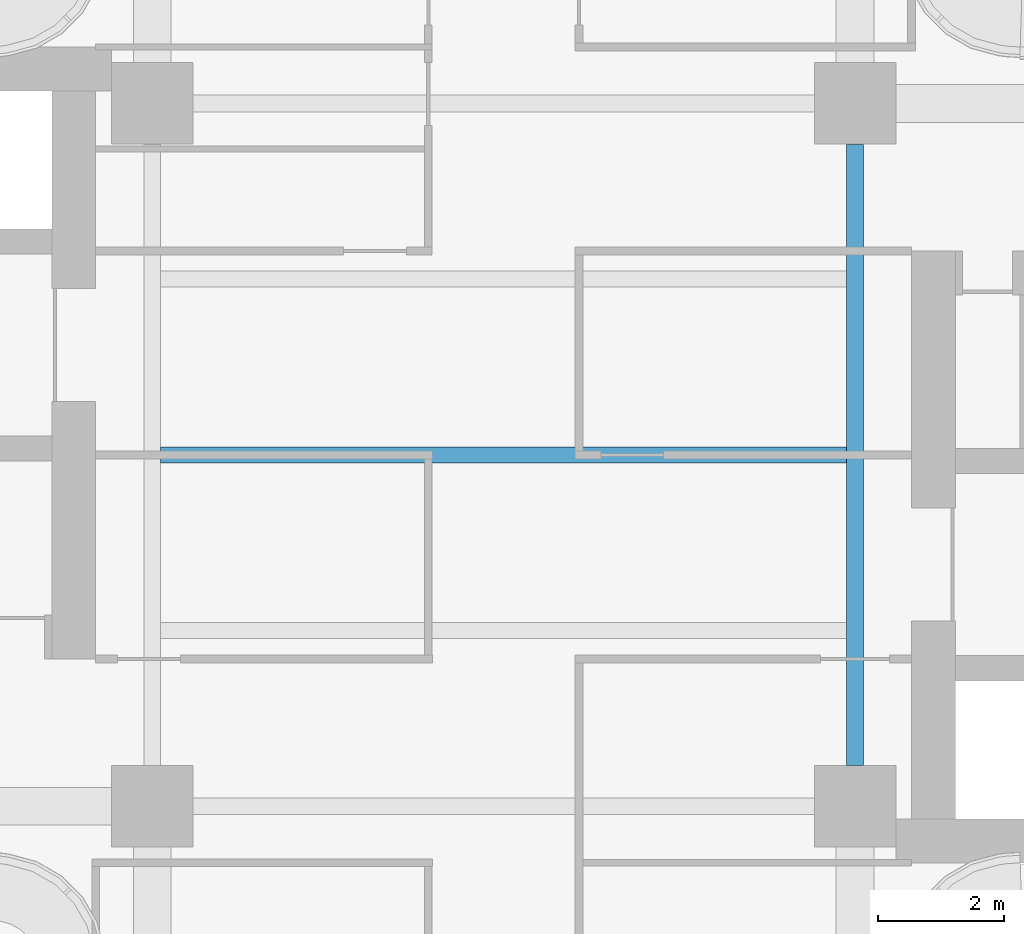
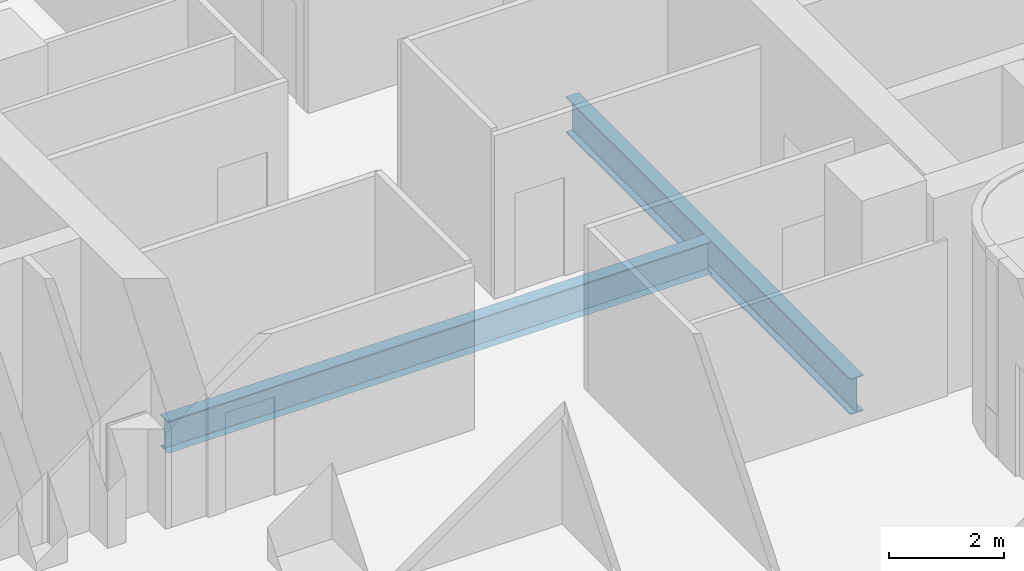
# One storey, part 6 of 23: 2 beams.
"""IFC4 building model written with IfcOpenShell, lengths in metres."""

from ifc_helpers import new_model, si_unit, direction, frame, origin, origin_2d, place, context, subcontext, project, spatial, i_section, extrude, source, transform, mapped, material, material_profile, profile_set, type_object, element, save


model = new_model("IFC4")

# Units and contexts
model_context = context("Model", 3, precision=1e-05, world=origin(), true_north=direction((0.0, 1.0)))
body_context = subcontext(model_context, "Body", "Model", "MODEL_VIEW")
ifc_project = project(units=[si_unit("LENGTHUNIT", "METRE"), si_unit("AREAUNIT", "SQUARE_METRE"), si_unit("VOLUMEUNIT", "CUBIC_METRE"), si_unit("PLANEANGLEUNIT", "RADIAN"), si_unit("MASSUNIT", "GRAM", prefix="KILO")], contexts=[model_context])

# Site, building, storey
site_placement = place(None, origin())
site = spatial("IfcSite", under=ifc_project, at=site_placement, CompositionType="ELEMENT")
building_placement = place(site_placement, origin())
building = spatial("IfcBuilding", under=site, at=building_placement, Name="Trellis Farm Tower", CompositionType="ELEMENT")
storey_placement = place(building_placement, frame((0.0, 0.0, 120.0)))
storey = spatial("IfcBuildingStorey", under=building, at=storey_placement, Name="L25", CompositionType="ELEMENT", Elevation=120.0)

# Beams
ifc_material = material(Name="Steel S355", Category="steel")
ifc_material_profile_1 = material_profile(ifc_material, i_section(OverallWidth=0.253662109375, OverallDepth=0.68359375, WebThickness=0.012451171875, FlangeThickness=0.021728515625, FilletRadius=0.01513671875, at=origin_2d()), Name="UB 686x254x140")
ifc_profile_set_1 = profile_set([ifc_material_profile_1], Name="Steel S355")
beam_type_1 = type_object("IfcBeamType", Name="UB 686x254x140 joist", PredefinedType="JOIST", material=ifc_profile_set_1)
shared_shape_1 = source(origin(), body_context, "Body", "SweptSolid", [
    extrude(i_section(OverallWidth=0.253662109375, OverallDepth=0.68359375, WebThickness=0.012451171875, FlangeThickness=0.021728515625, FilletRadius=0.01513671875, at=origin_2d()), origin(), (0.0, 0.0, 1.0), 10.93310546875),
])
beam_1_placement = place(storey_placement, frame((-5.466552734375, 0.0, -0.591796875), z_axis=(1.0, 0.0, 0.0), x_axis=(0.0, 1.0, 0.0)))
element("IfcBeam", 1, at=beam_1_placement, inside=storey, type_object=beam_type_1, Name="Floor beam", PredefinedType="JOIST", context=body_context, shape_type="MappedRepresentation", body=[
    mapped(shared_shape_1, transform((0.0, 0.0, 0.0))),
])
ifc_material_profile_2 = material_profile(ifc_material, i_section(OverallWidth=0.2666015625, OverallDepth=0.76220703125, WebThickness=0.014404296875, FlangeThickness=0.021484375, FilletRadius=0.0166015625, at=origin_2d()), Name="UB 762x267x173")
ifc_profile_set_2 = profile_set([ifc_material_profile_2], Name="Steel S355")
beam_type_2 = type_object("IfcBeamType", Name="UB 762x267x173", PredefinedType="BEAM", material=ifc_profile_set_2)
shared_shape_2 = source(origin(), body_context, "Body", "SweptSolid", [
    extrude(i_section(OverallWidth=0.2666015625, OverallDepth=0.76220703125, WebThickness=0.014404296875, FlangeThickness=0.021484375, FilletRadius=0.0166015625, at=origin_2d()), origin(), (0.0, 0.0, 1.0), 9.89990234375),
])
beam_2_placement = place(storey_placement, frame((5.60009765625, -4.949951171875, -0.631103515625), z_axis=(0.0, 1.0, 0.0), x_axis=(-1.0, 0.0, 0.0)))
element("IfcBeam", 2, at=beam_2_placement, inside=storey, type_object=beam_type_2, Name="Girder", PredefinedType="BEAM", context=body_context, shape_type="MappedRepresentation", body=[
    mapped(shared_shape_2, transform((0.0, 0.0, 0.0))),
])

save(model, "model.ifc")
